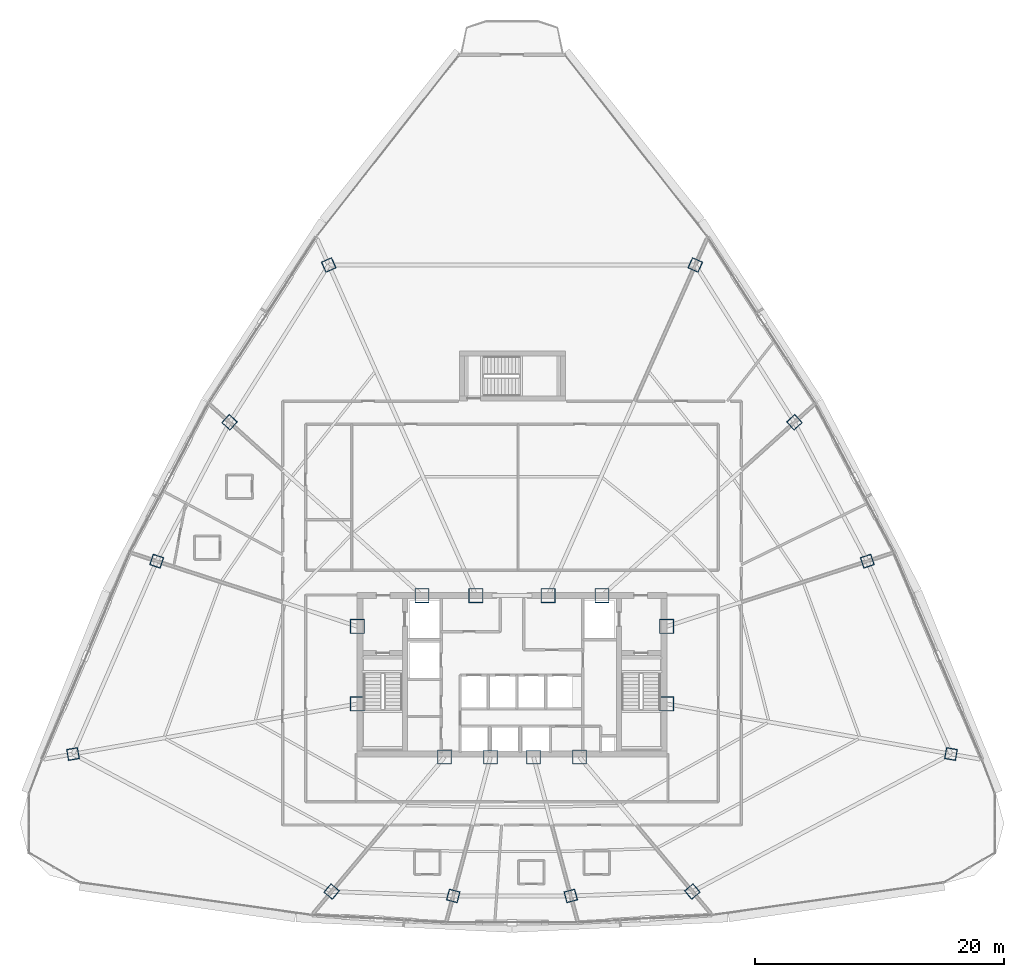
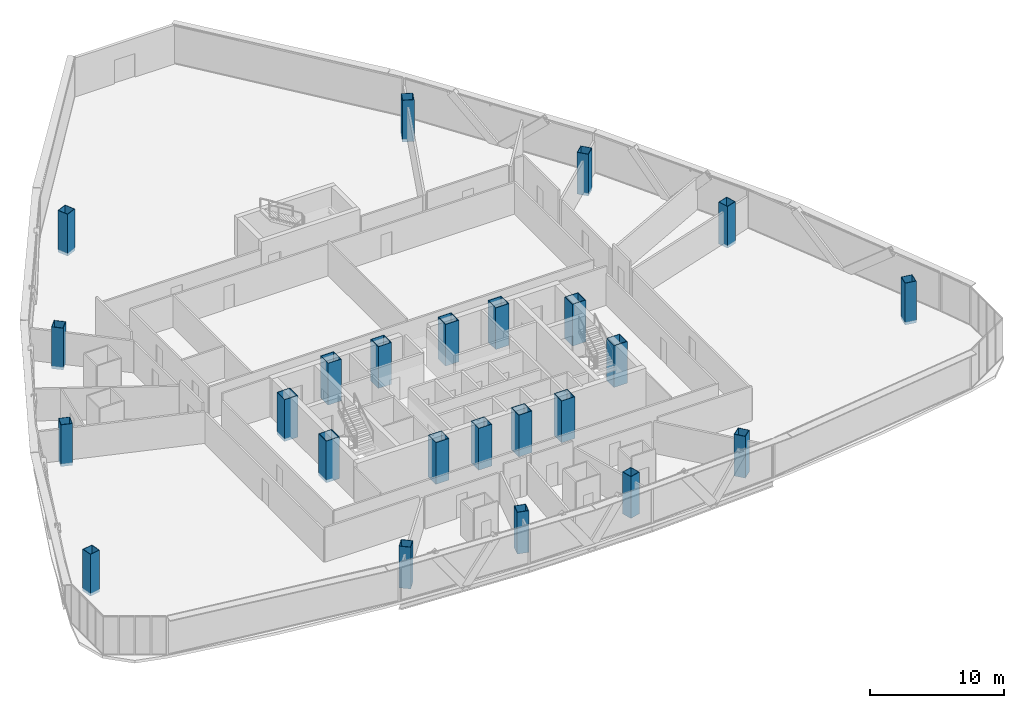
# One storey, part 1 of 40: 24 columns.
"""IFC4 building model written with IfcOpenShell, lengths in metres."""

from ifc_helpers import new_model, si_unit, direction, frame, origin, origin_2d, place, context, subcontext, project, spatial, hollow_rectangle, extrude, source, transform, mapped, material, material_profile, profile_set, type_object, element, save


model = new_model("IFC4")

# Units and contexts
model_context = context("Model", 3, precision=1e-05, world=origin(), true_north=direction((0.0, 1.0)))
body_context = subcontext(model_context, "Body", "Model", "MODEL_VIEW")
ifc_project = project(units=[si_unit("LENGTHUNIT", "METRE"), si_unit("AREAUNIT", "SQUARE_METRE"), si_unit("VOLUMEUNIT", "CUBIC_METRE"), si_unit("PLANEANGLEUNIT", "RADIAN"), si_unit("MASSUNIT", "GRAM", prefix="KILO"), si_unit("THERMODYNAMICTEMPERATUREUNIT", "KELVIN"), si_unit("POWERUNIT", "WATT")], contexts=[model_context])

# Site, building, storey
site_placement = place(None, origin())
site = spatial("IfcSite", under=ifc_project, at=site_placement, CompositionType="ELEMENT")
building_placement = place(site_placement, origin())
building = spatial("IfcBuilding", under=site, at=building_placement, Name="Yunzhuo Pagoda Commons", CompositionType="ELEMENT")
storey_placement = place(building_placement, frame((0.0, 0.0, 184.760009765625)))
storey = spatial("IfcBuildingStorey", under=building, at=storey_placement, Name="L46", CompositionType="ELEMENT", Elevation=184.760009765625)

# Columns
ifc_material = material(Name="Structural steel Q420B", Category="steel")
ifc_material_profile_1 = material_profile(ifc_material, hollow_rectangle(XDim=1.14990234375, YDim=1.14990234375, WallThickness=0.048095703125, at=origin_2d()), Name="Structural steel Q420B")
ifc_profile_set_1 = profile_set([ifc_material_profile_1], Name="Structural steel Q420B")
column_type_1 = type_object("IfcColumnType", Name="C-COR Column BOX 1150x1150x48", PredefinedType="COLUMN", material=ifc_profile_set_1)
shared_shape_1 = source(origin(), body_context, "Body", "SweptSolid", [
    extrude(hollow_rectangle(XDim=1.14990234375, YDim=1.14990234375, WallThickness=0.048095703125, at=origin_2d()), origin(), (0.0, 0.0, 1.0), 3.800048828125),
])
for number, where, z_axis, x_axis, name in (
    (1, (42.587890625, 27.25, -0.260009765625), (0.0, 0.0, 1.0), (1.0, 0.0, 0.0), "L46 core composite column F1C1"),
    (2, (46.27197265625, 27.25, -0.260009765625), (0.0, 0.0, 1.0), (1.0, 0.0, 0.0), "L46 core composite column F1C2"),
    (3, (49.728515625, 27.25, -0.260009765625), (0.0, 0.0, 1.0), (1.0, 0.0, 0.0), "L46 core composite column F1C3"),
    (4, (53.412109375, 27.25, -0.260009765625), (0.0, 0.0, 1.0), (1.0, 0.0, 0.0), "L46 core composite column F1C4"),
    (5, (60.39990234375, 31.513427734375, -0.260009765625), (0.0, 0.0, 1.0), (1.0, 0.0, 0.0), "L46 core composite column F2C1"),
    (6, (60.39990234375, 37.72900390625, -0.260009765625), (0.0, 0.0, 1.0), (1.0, 0.0, 0.0), "L46 core composite column F2C2"),
    (7, (55.218994140625, 40.199951171875, -0.260009765625), (0.0, 0.0, 1.0), (1.0, 0.0, 0.0), "L46 core composite column F2C3"),
    (8, (50.89404296875, 40.199951171875, -0.260009765625), (0.0, 0.0, 1.0), (1.0, 0.0, 0.0), "L46 core composite column F2C4"),
    (9, (45.10595703125, 40.199951171875, -0.260009765625), (0.0, 0.0, 1.0), (1.0, 0.0, 0.0), "L46 core composite column F3C1"),
    (10, (40.781005859375, 40.199951171875, -0.260009765625), (0.0, 0.0, 1.0), (1.0, 0.0, 0.0), "L46 core composite column F3C2"),
    (11, (35.60009765625, 37.72900390625, -0.260009765625), (0.0, 0.0, 1.0), (1.0, 0.0, 0.0), "L46 core composite column F3C3"),
    (12, (35.60009765625, 31.513427734375, -0.260009765625), (0.0, 0.0, 1.0), (1.0, 0.0, 0.0), "L46 core composite column F3C4"),
):
    element("IfcColumn", number, at=place(storey_placement, frame(where, z_axis=z_axis, x_axis=x_axis)), inside=storey, type_object=column_type_1, Name=name, PredefinedType="COLUMN", context=body_context, shape_type="MappedRepresentation", body=[
        mapped(shared_shape_1, transform((0.0, 0.0, 0.0), scale=1.0)),
    ])
ifc_material_profile_2 = material_profile(ifc_material, hollow_rectangle(XDim=0.89990234375, YDim=0.89990234375, WallThickness=0.035888671875, at=origin_2d()), Name="Structural steel Q420B")
ifc_profile_set_2 = profile_set([ifc_material_profile_2], Name="Structural steel Q420B")
column_type_2 = type_object("IfcColumnType", Name="C-Z4 Column BOX 900x900x36", PredefinedType="COLUMN", material=ifc_profile_set_2)
shared_shape_2 = source(origin(), body_context, "Body", "SweptSolid", [
    extrude(hollow_rectangle(XDim=0.89990234375, YDim=0.89990234375, WallThickness=0.035888671875, at=origin_2d()), origin(), (0.0, 0.0, 1.0), 3.800048828125),
])
for number, where, z_axis, x_axis, name in (
    (13, (33.538818359375, 16.4658203125, -0.260009765625), (0.0, 0.0, 1.0), (0.766044443119, -0.642787609687, 0.0), "L46 tower column F1C1"),
    (14, (43.28759765625, 16.1123046875, -0.260009765625), (0.0, 0.0, 1.0), (0.965925826289, -0.258819045103, 0.0), "L46 tower column F1C2"),
    (15, (52.712890625, 16.1123046875, -0.260009765625), (0.0, 0.0, 1.0), (0.965925826289, 0.258819045103, 0.0), "L46 tower column F1C3"),
    (16, (62.461181640625, 16.4658203125, -0.260009765625), (0.0, 0.0, 1.0), (0.766044443119, 0.642787609687, 0.0), "L46 tower column F1C4"),
    (17, (83.20654296875, 27.492431640625, -0.260009765625), (0.0, 0.0, 1.0), (0.173648177667, 0.984807753012, 0.0), "L46 tower column F2C1"),
    (18, (76.49462890625, 42.95849609375, -0.260009765625), (0.0, 0.0, 1.0), (-0.309016994375, 0.951056516295, 0.0), "L46 tower column F2C2"),
    (19, (70.650634765625, 54.0947265625, -0.260009765625), (0.0, 0.0, 1.0), (-0.669130606359, 0.743144825477, 0.0), "L46 tower column F2C3"),
    (20, (62.698974609375, 66.714599609375, -0.260009765625), (0.0, 0.0, 1.0), (-0.913545457643, 0.406736643076, 0.0), "L46 tower column F2C4"),
    (21, (33.301025390625, 66.714599609375, -0.260009765625), (0.0, 0.0, 1.0), (-0.913545457643, -0.406736643076, 0.0), "L46 tower column F3C1"),
    (22, (25.349365234375, 54.0947265625, -0.260009765625), (0.0, 0.0, 1.0), (-0.669130606359, -0.743144825477, 0.0), "L46 tower column F3C2"),
    (23, (19.50537109375, 42.95849609375, -0.260009765625), (0.0, 0.0, 1.0), (-0.309016994375, -0.951056516295, 0.0), "L46 tower column F3C3"),
    (24, (12.79345703125, 27.492431640625, -0.260009765625), (0.0, 0.0, 1.0), (0.173648177667, -0.984807753012, 0.0), "L46 tower column F3C4"),
):
    element("IfcColumn", number, at=place(storey_placement, frame(where, z_axis=z_axis, x_axis=x_axis)), inside=storey, type_object=column_type_2, Name=name, PredefinedType="COLUMN", context=body_context, shape_type="MappedRepresentation", body=[
        mapped(shared_shape_2, transform((0.0, 0.0, 0.0), scale=1.0)),
    ])

save(model, "model.ifc")
